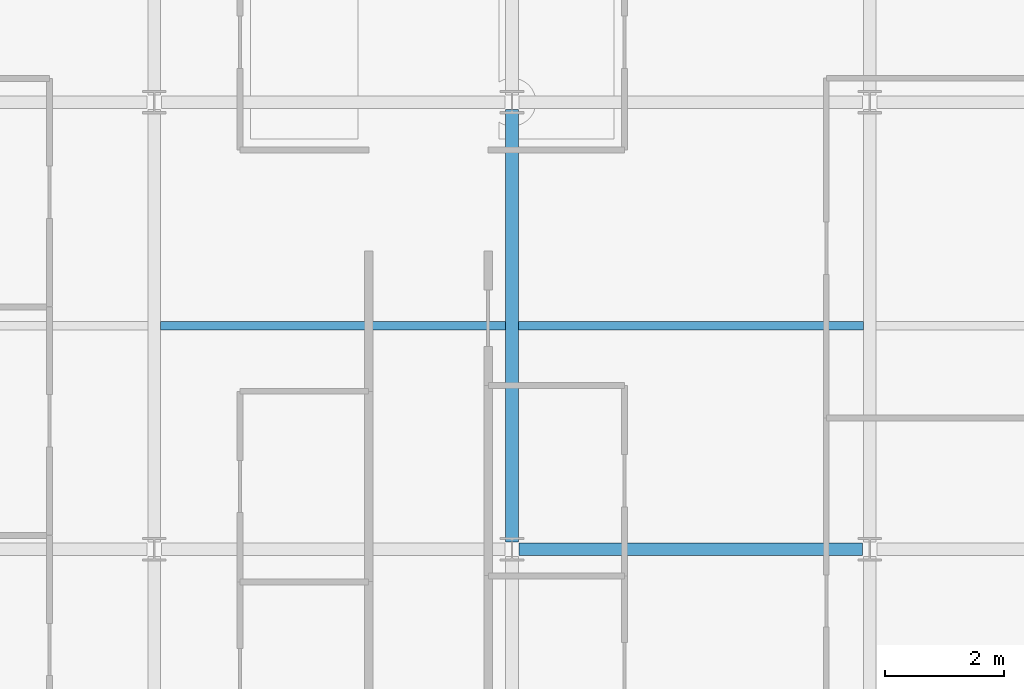
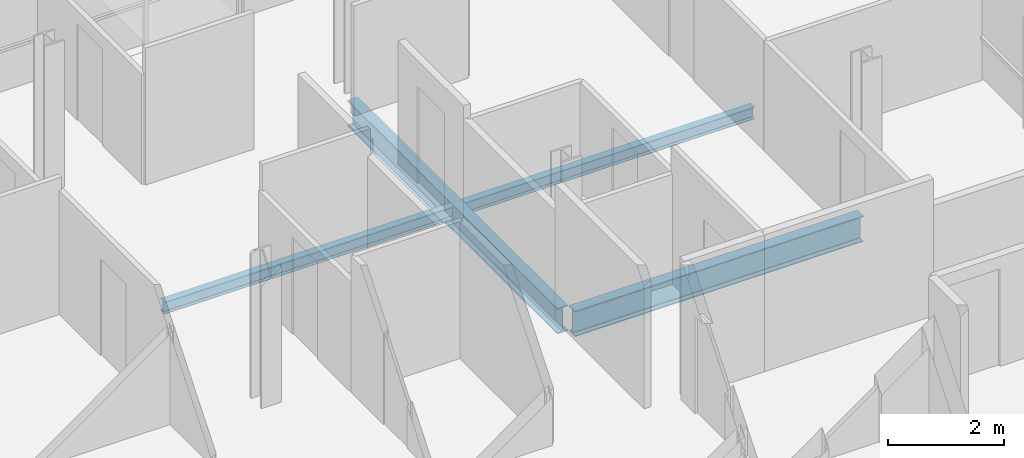
# One storey, part 6 of 27: 4 beams.
"""IFC4 building model written with IfcOpenShell, lengths in metres."""

from ifc_helpers import new_model, si_unit, direction, frame, origin, origin_2d, place, context, subcontext, project, spatial, i_section, extrude, material, material_profile, profile_set, type_object, element, save


model = new_model("IFC4")

# Units and contexts
model_context = context("Model", 3, precision=1e-05, world=origin(), true_north=direction((0.0, 1.0)))
body_context = subcontext(model_context, "Body", "Model", "MODEL_VIEW")
ifc_project = project(units=[si_unit("LENGTHUNIT", "METRE"), si_unit("AREAUNIT", "SQUARE_METRE"), si_unit("VOLUMEUNIT", "CUBIC_METRE"), si_unit("PLANEANGLEUNIT", "RADIAN"), si_unit("MASSUNIT", "GRAM", prefix="KILO")], contexts=[model_context])

# Site, building, storey
site_placement = place(None, origin())
site = spatial("IfcSite", under=ifc_project, at=site_placement, CompositionType="ELEMENT")
building_placement = place(site_placement, origin())
building = spatial("IfcBuilding", under=site, at=building_placement, Name="Brevholm Reach", CompositionType="ELEMENT")
storey_placement = place(building_placement, frame((0.0, 0.0, 195.60009765625)))
storey = spatial("IfcBuildingStorey", under=building, at=storey_placement, Name="L59", CompositionType="ELEMENT", Elevation=195.60009765625)

# Beams
ifc_material_1 = material(Name="Structural Steel S355J2", Category="steel")
ifc_material_profile_1 = material_profile(ifc_material_1, i_section(OverallWidth=0.14599609375, OverallDepth=0.25146484375, WebThickness=0.006103515625, FlangeThickness=0.008544921875, FilletRadius=0.007568359375, at=origin_2d()), Name="UKB 254x146x31")
ifc_profile_set_1 = profile_set([ifc_material_profile_1], Name="Structural Steel S355J2")
beam_type_1 = type_object("IfcBeamType", Name="BM-B254", PredefinedType="BEAM", material=ifc_profile_set_1)
for number, where, z_axis, x_axis, name in (
    (1, (6.10546875, 19.75, -0.335693359375), (1.0, 0.0, 0.0), (0.0, 1.0, 0.0), "L59 Composite Secondary Floor Beam"),
    (2, (12.10546875, 19.75, -0.335693359375), (1.0, 0.0, 0.0), (0.0, 1.0, 0.0), "L59 Composite Secondary Floor Beam"),
):
    element("IfcBeam", number, at=place(storey_placement, frame(where, z_axis=z_axis, x_axis=x_axis)), inside=storey, type_object=beam_type_1, Name=name, PredefinedType="BEAM", context=body_context, shape_type="SweptSolid", body=[
        extrude(i_section(OverallWidth=0.14599609375, OverallDepth=0.25146484375, WebThickness=0.006103515625, FlangeThickness=0.008544921875, FilletRadius=0.007568359375, at=origin_2d()), origin(), (0.0, 0.0, 1.0), 5.7890625),
    ])
ifc_material_2 = material(Name="Structural Steel S355J2", Category="steel")
ifc_material_profile_2 = material_profile(ifc_material_2, i_section(OverallWidth=0.210693359375, OverallDepth=0.53955078125, WebThickness=0.01171875, FlangeThickness=0.018798828125, FilletRadius=0.0126953125, at=origin_2d()), Name="UKB 533x210x109")
ifc_profile_set_2 = profile_set([ifc_material_profile_2], Name="Structural Steel S355J2")
beam_type_2 = type_object("IfcBeamType", Name="BM-SP539", PredefinedType="SPANDREL", material=ifc_profile_set_2)
beam_1_placement = place(storey_placement, frame((12.1201171875, 16.0, -0.479736328125), z_axis=(1.0, 0.0, 0.0), x_axis=(0.0, 1.0, 0.0)))
element("IfcBeam", 3, at=beam_1_placement, inside=storey, type_object=beam_type_2, Name="L59 SP-01B Framing Beam", PredefinedType="SPANDREL", context=body_context, shape_type="SweptSolid", body=[
    extrude(i_section(OverallWidth=0.210693359375, OverallDepth=0.53955078125, WebThickness=0.01171875, FlangeThickness=0.018798828125, FilletRadius=0.0126953125, at=origin_2d()), origin(), (0.0, 0.0, 1.0), 5.759765625),
])
beam_2_placement = place(storey_placement, frame((12.0, 16.1201171875, -0.479736328125), z_axis=(0.0, 1.0, 0.0), x_axis=(-1.0, 0.0, 0.0)))
element("IfcBeam", 4, at=beam_2_placement, inside=storey, type_object=beam_type_2, Name="L59 SP-01B Framing Beam", PredefinedType="SPANDREL", context=body_context, shape_type="SweptSolid", body=[
    extrude(i_section(OverallWidth=0.210693359375, OverallDepth=0.53955078125, WebThickness=0.01171875, FlangeThickness=0.018798828125, FilletRadius=0.0126953125, at=origin_2d()), origin(), (0.0, 0.0, 1.0), 7.259765625),
])

save(model, "model.ifc")
